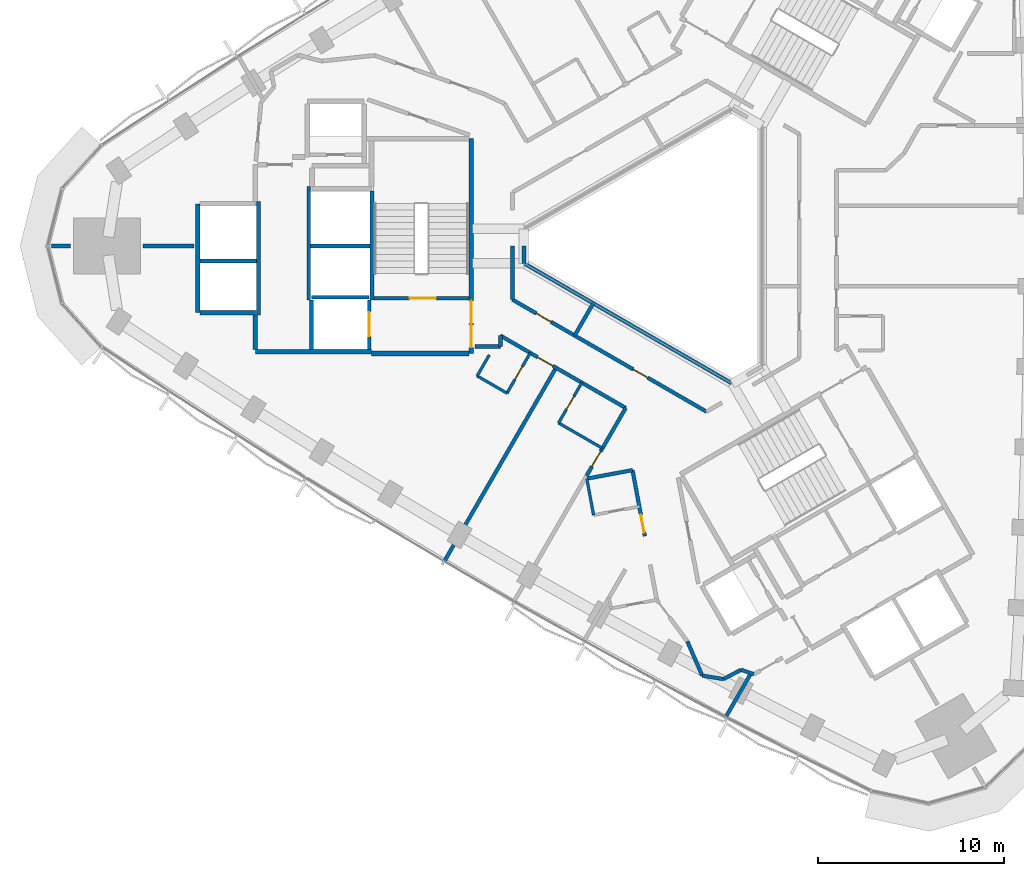
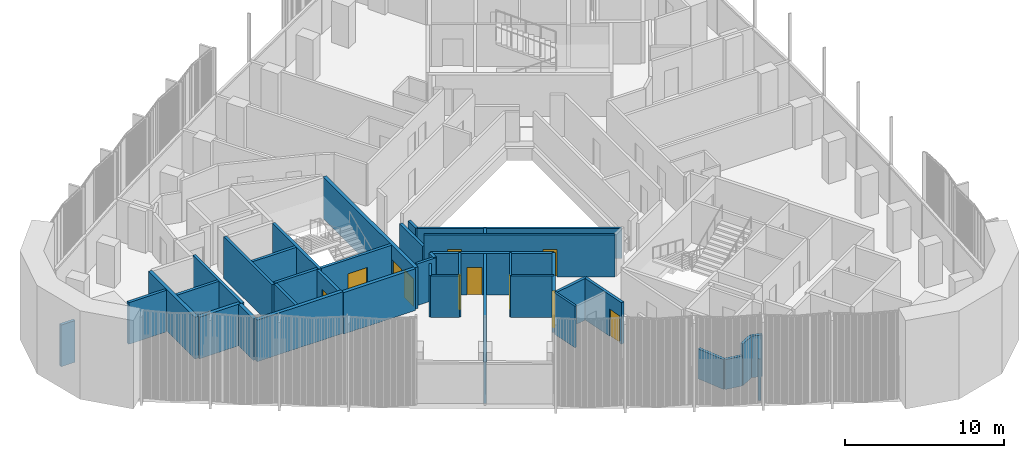
# One storey, part 8 of 15: 40 walls, 11 doors, 11 openings.
"""IFC4 building model written with IfcOpenShell, lengths in metres."""

from ifc_helpers import new_model, si_unit, direction, frame, frame_2d, origin, place, context, subcontext, project, spatial, rectangle, extrude, material, layer, layer_set, type_object, element, fill, save


model = new_model("IFC4")

# Units and contexts
model_context = context("Model", 3, precision=1e-05, world=origin(), true_north=direction((0.0, 1.0)))
body_context = subcontext(model_context, "Body", "Model", "MODEL_VIEW")
ifc_project = project(units=[si_unit("LENGTHUNIT", "METRE"), si_unit("AREAUNIT", "SQUARE_METRE"), si_unit("VOLUMEUNIT", "CUBIC_METRE"), si_unit("PLANEANGLEUNIT", "RADIAN"), si_unit("MASSUNIT", "GRAM", prefix="KILO")], contexts=[model_context])

# Site, building, storey
site_placement = place(None, origin())
site = spatial("IfcSite", under=ifc_project, at=site_placement, CompositionType="ELEMENT")
building_placement = place(site_placement, origin())
building = spatial("IfcBuilding", under=site, at=building_placement, Name="Tamra Quay Hotel Tower", CompositionType="ELEMENT")
storey_placement = place(building_placement, frame((0.0, 0.0, 128.800048828125)))
storey = spatial("IfcBuildingStorey", under=building, at=storey_placement, Name="L31", CompositionType="ELEMENT", Elevation=128.800048828125)

# Walls
ifc_material_1 = material(Name="Concrete M70", Category="concrete")
ifc_layer_1 = layer(ifc_material_1, 0.199951171875)
ifc_layer_set_1 = layer_set([ifc_layer_1], Name="Concrete M70 core wall 200")
wall_type_1 = type_object("IfcWallType", Name="Concrete M70 core wall 200", PredefinedType="SHEAR", material=ifc_layer_set_1)
wall_1_placement = place(storey_placement, frame((-16.162109375, 2.95068359375, 0.0), z_axis=(0.0, 0.0, 1.0), x_axis=(0.0, -1.0, 0.0)))
element("IfcWall", 1, at=wall_1_placement, inside=storey, type_object=wall_type_1, Name="CW2", PredefinedType="SHEAR", context=body_context, shape_type="SweptSolid", body=[
    extrude(rectangle(XDim=5.850830078125, YDim=0.199951171875, at=frame_2d((2.92529296875, 0.0))), origin(), (0.0, 0.0, 1.0), 3.199951171875),
])
for number, where, z_axis, x_axis, name in (
    (2, (-19.5625, -2.900146484375, 0.0), (0.0, 0.0, 1.0), (0.0, 1.0, 0.0), "CW2"),
    (3, (-22.26220703125, 2.400146484375, 0.0), (0.0, 0.0, 1.0), (0.0, -1.0, 0.0), "CW2"),
):
    element("IfcWall", number, at=place(storey_placement, frame(where, z_axis=z_axis, x_axis=x_axis)), inside=storey, type_object=wall_type_1, Name=name, PredefinedType="SHEAR", context=body_context, shape_type="SweptSolid", body=[
        extrude(rectangle(XDim=6.100341796875, YDim=0.199951171875, at=frame_2d((3.05029296875, 0.0))), origin(), (0.0, 0.0, 1.0), 3.199951171875),
    ])

# Wall, opening, door
wall_2_placement = place(storey_placement, frame((-10.96337890625, -2.800048828125, 0.0), z_axis=(0.0, 0.0, 1.0), x_axis=(-1.0, 0.0, 0.0)))
wall_2 = element("IfcWall", 4, at=wall_2_placement, inside=storey, type_object=wall_type_1, Name="CW2", PredefinedType="SHEAR", context=body_context, shape_type="SweptSolid", body=[
    extrude(rectangle(XDim=5.097900390625, YDim=0.199951171875, at=frame_2d((2.548828125, 0.0))), origin(), (0.0, 0.0, 1.0), 3.199951171875),
])
opening_1_placement = place(wall_2_placement, frame((1.77392578125, 0.0, 0.0)))
opening_1 = element("IfcOpeningElement", 5, at=opening_1_placement, cuts=wall_2, Name="Opening FD2", PredefinedType="OPENING", context=body_context, shape_type="SweptSolid", body=[
    extrude(rectangle(XDim=1.39990234375, YDim=2.10009765625, at=frame_2d((0.699951171875, 1.050048828125))), frame((0.0, 0.10986328125, 0.0), z_axis=(0.0, -1.0, 0.0), x_axis=(1.0, 0.0, 0.0)), (0.0, 0.0, 1.0), 0.219970703125),
])
ifc_material_2 = material(Name="Core door FD2 1400x2100 LH")
door_type_1 = type_object("IfcDoorType", Name="Core door FD2 1400x2100 LH", OperationType="NOTDEFINED", PredefinedType="DOOR", material=ifc_material_2)
door_1_placement = place(opening_1_placement, origin())
door_1 = element("IfcDoor", 6, at=door_1_placement, inside=storey, type_object=door_type_1, Name="FD2", OperationType="SINGLE_SWING_LEFT", OverallHeight=2.10009765625, OverallWidth=1.39990234375, PredefinedType="DOOR", context=body_context, shape_type="SweptSolid", body=[
    extrude(rectangle(XDim=1.39990234375, YDim=2.10009765625, at=frame_2d((0.699951171875, 1.050048828125))), frame((0.0, 0.02490234375, 0.0), z_axis=(0.0, -1.0, 0.0), x_axis=(1.0, 0.0, 0.0)), (0.0, 0.0, 1.0), 0.050048828125),
])
fill(opening_1, door_1)

# Walls
wall_3_placement = place(storey_placement, frame((-16.26318359375, 0.0, 0.0), z_axis=(0.0, 0.0, 1.0), x_axis=(-1.0, 0.0, 0.0)))
element("IfcWall", 7, at=wall_3_placement, inside=storey, type_object=wall_type_1, Name="CW2", PredefinedType="SHEAR", context=body_context, shape_type="SweptSolid", body=[
    extrude(rectangle(XDim=3.1982421875, YDim=0.199951171875, at=frame_2d((1.59912109375, 0.0))), origin(), (0.0, 0.0, 1.0), 3.199951171875),
])
wall_4_placement = place(storey_placement, frame((-22.36328125, -0.800048828125, 0.0), z_axis=(0.0, 0.0, 1.0), x_axis=(-1.0, 0.0, 0.0)))
element("IfcWall", 8, at=wall_4_placement, inside=storey, type_object=wall_type_1, Name="CW2", PredefinedType="SHEAR", context=body_context, shape_type="SweptSolid", body=[
    extrude(rectangle(XDim=3.048095703125, YDim=0.199951171875, at=frame_2d((1.52392578125, 0.0))), origin(), (0.0, 0.0, 1.0), 3.199951171875),
])
wall_5_placement = place(storey_placement, frame((-19.412353515625, -2.75, 0.0), z_axis=(0.0, 0.0, 1.0), x_axis=(1.0, 0.0, 0.0)))
element("IfcWall", 9, at=wall_5_placement, inside=storey, type_object=wall_type_1, Name="CW2", PredefinedType="SHEAR", context=body_context, shape_type="SweptSolid", body=[
    extrude(rectangle(XDim=3.10009765625, YDim=0.199951171875, at=frame_2d((1.550048828125, 0.0))), origin(), (0.0, 0.0, 1.0), 3.199951171875),
])

# Wall, opening, door
wall_6_placement = place(storey_placement, frame((-16.312255859375, -2.898193359375, 0.0), z_axis=(0.0, 0.0, 1.0), x_axis=(0.0, -1.0, 0.0)))
wall_6 = element("IfcWall", 10, at=wall_6_placement, inside=storey, type_object=wall_type_1, Name="CW2", PredefinedType="SHEAR", context=body_context, shape_type="SweptSolid", body=[
    extrude(rectangle(XDim=2.65087890625, YDim=0.199951171875, at=frame_2d((1.325439453125, 0.0))), origin(), (0.0, 0.0, 1.0), 3.199951171875),
])
opening_2_placement = place(wall_6_placement, frame((0.65185546875, 0.0, 0.0)))
opening_2 = element("IfcOpeningElement", 11, at=opening_2_placement, cuts=wall_6, Name="Opening LD", PredefinedType="OPENING", context=body_context, shape_type="SweptSolid", body=[
    extrude(rectangle(XDim=1.300048828125, YDim=2.10009765625, at=frame_2d((0.64990234375, 1.050048828125))), frame((0.0, 0.10986328125, 0.0), z_axis=(0.0, -1.0, 0.0), x_axis=(1.0, 0.0, 0.0)), (0.0, 0.0, 1.0), 0.219970703125),
])
ifc_material_3 = material(Name="Landing door LD 1300 sliding to left")
door_type_2 = type_object("IfcDoorType", Name="Landing door LD 1300 sliding to left", OperationType="NOTDEFINED", PredefinedType="DOOR", material=ifc_material_3)
door_2_placement = place(opening_2_placement, origin())
door_2 = element("IfcDoor", 12, at=door_2_placement, inside=storey, type_object=door_type_2, Name="LD", OperationType="SLIDING_TO_LEFT", OverallHeight=2.10009765625, OverallWidth=1.300048828125, PredefinedType="DOOR", context=body_context, shape_type="SweptSolid", body=[
    extrude(rectangle(XDim=1.300048828125, YDim=2.10009765625, at=frame_2d((0.64990234375, 1.050048828125))), frame((0.0, 0.02490234375, 0.0), z_axis=(0.0, -1.0, 0.0), x_axis=(1.0, 0.0, 0.0)), (0.0, 0.0, 1.0), 0.050048828125),
])
fill(opening_2, door_2)

# Wall
wall_7_placement = place(storey_placement, frame((-19.412353515625, -5.549072265625, 0.0), z_axis=(0.0, 0.0, 1.0), x_axis=(0.0, 1.0, 0.0)))
element("IfcWall", 13, at=wall_7_placement, inside=storey, type_object=wall_type_1, Name="CW2", PredefinedType="SHEAR", context=body_context, shape_type="SweptSolid", body=[
    extrude(rectangle(XDim=2.65087890625, YDim=0.199951171875, at=frame_2d((1.325439453125, 0.0))), origin(), (0.0, 0.0, 1.0), 3.199951171875),
])

# Wall, openings, doors
ifc_layer_2 = layer(ifc_material_1, 0.25)
ifc_layer_set_2 = layer_set([ifc_layer_2], Name="Concrete M70 core wall 250")
wall_type_2 = type_object("IfcWallType", Name="Concrete M70 core wall 250", PredefinedType="SHEAR", material=ifc_layer_set_2)
wall_8_placement = place(storey_placement, frame((-10.83740234375, 5.77490234375, 0.0), z_axis=(0.0, 0.0, 1.0), x_axis=(0.0, -1.0, 0.0)))
wall_8 = element("IfcWall", 14, at=wall_8_placement, inside=storey, type_object=wall_type_2, Name="CW1", PredefinedType="SHEAR", context=body_context, shape_type="SweptSolid", body=[
    extrude(rectangle(XDim=11.5498046875, YDim=0.25, at=frame_2d((5.77490234375, 0.0))), origin(), (0.0, 0.0, 1.0), 3.199951171875),
])
opening_3_placement = place(wall_8_placement, frame((10.02490234375, 0.0, 0.0)))
opening_3 = element("IfcOpeningElement", 15, at=opening_3_placement, cuts=wall_8, Name="Opening FD1", PredefinedType="OPENING", context=body_context, shape_type="SweptSolid", body=[
    extrude(rectangle(XDim=1.199951171875, YDim=2.10009765625, at=frame_2d((0.60009765625, 1.050048828125))), frame((0.0, 0.135009765625, 0.0), z_axis=(0.0, -1.0, 0.0), x_axis=(1.0, 0.0, 0.0)), (0.0, 0.0, 1.0), 0.27001953125),
])
opening_4_placement = place(wall_8_placement, frame((8.72509765625, 0.0, 0.0)))
opening_4 = element("IfcOpeningElement", 16, at=opening_4_placement, cuts=wall_8, Name="Opening FD1", PredefinedType="OPENING", context=body_context, shape_type="SweptSolid", body=[
    extrude(rectangle(XDim=1.199951171875, YDim=2.10009765625, at=frame_2d((0.60009765625, 1.050048828125))), frame((0.0, 0.135009765625, 0.0), z_axis=(0.0, -1.0, 0.0), x_axis=(1.0, 0.0, 0.0)), (0.0, 0.0, 1.0), 0.27001953125),
])
ifc_material_4 = material(Name="Core door FD1 1200x2100 LH")
door_type_3 = type_object("IfcDoorType", Name="Core door FD1 1200x2100 LH", OperationType="NOTDEFINED", PredefinedType="DOOR", material=ifc_material_4)
door_3_placement = place(opening_3_placement, origin())
door_3 = element("IfcDoor", 17, at=door_3_placement, inside=storey, type_object=door_type_3, Name="FD1", OperationType="SINGLE_SWING_LEFT", OverallHeight=2.10009765625, OverallWidth=1.199951171875, PredefinedType="DOOR", context=body_context, shape_type="SweptSolid", body=[
    extrude(rectangle(XDim=1.199951171875, YDim=2.10009765625, at=frame_2d((0.60009765625, 1.050048828125))), frame((0.0, 0.02490234375, 0.0), z_axis=(0.0, -1.0, 0.0), x_axis=(1.0, 0.0, 0.0)), (0.0, 0.0, 1.0), 0.050048828125),
])
fill(opening_3, door_3)
ifc_material_5 = material(Name="Core door FD1 1200x2100 RH")
door_type_4 = type_object("IfcDoorType", Name="Core door FD1 1200x2100 RH", OperationType="NOTDEFINED", PredefinedType="DOOR", material=ifc_material_5)
door_4_placement = place(opening_4_placement, origin())
door_4 = element("IfcDoor", 18, at=door_4_placement, inside=storey, type_object=door_type_4, Name="FD1", OperationType="SINGLE_SWING_RIGHT", OverallHeight=2.10009765625, OverallWidth=1.199951171875, PredefinedType="DOOR", context=body_context, shape_type="SweptSolid", body=[
    extrude(rectangle(XDim=1.199951171875, YDim=2.10009765625, at=frame_2d((0.60009765625, 1.050048828125))), frame((0.0, 0.02490234375, 0.0), z_axis=(0.0, -1.0, 0.0), x_axis=(1.0, 0.0, 0.0)), (0.0, 0.0, 1.0), 0.050048828125),
])
fill(opening_4, door_4)

# Walls
wall_9_placement = place(storey_placement, frame((-16.187255859375, -5.675048828125, 0.0), z_axis=(0.0, 0.0, 1.0), x_axis=(-1.0, 0.0, 0.0)))
element("IfcWall", 19, at=wall_9_placement, inside=storey, type_object=wall_type_2, Name="CW1", PredefinedType="SHEAR", context=body_context, shape_type="SweptSolid", body=[
    extrude(rectangle(XDim=6.25, YDim=0.25, at=frame_2d((3.125, 0.0))), origin(), (0.0, 0.0, 1.0), 3.199951171875),
])
wall_10_placement = place(storey_placement, frame((-25.537353515625, -3.574951171875, 0.0), z_axis=(0.0, 0.0, 1.0), x_axis=(0.0, 1.0, 0.0)))
element("IfcWall", 20, at=wall_10_placement, inside=storey, type_object=wall_type_2, Name="CW1", PredefinedType="SHEAR", context=body_context, shape_type="SweptSolid", body=[
    extrude(rectangle(XDim=5.849853515625, YDim=0.25, at=frame_2d((2.9248046875, 0.0))), origin(), (0.0, 0.0, 1.0), 3.199951171875),
])
wall_11_placement = place(storey_placement, frame((-10.962646484375, -5.77490234375, 0.0), z_axis=(0.0, 0.0, 1.0), x_axis=(-1.0, 0.0, 0.0)))
element("IfcWall", 21, at=wall_11_placement, inside=storey, type_object=wall_type_2, Name="CW1", PredefinedType="SHEAR", context=body_context, shape_type="SweptSolid", body=[
    extrude(rectangle(XDim=5.224609375, YDim=0.25, at=frame_2d((2.6123046875, 0.0))), origin(), (0.0, 0.0, 1.0), 3.199951171875),
])
wall_12_placement = place(storey_placement, frame((-22.437255859375, -3.574951171875, 0.0), z_axis=(0.0, 0.0, 1.0), x_axis=(-1.0, 0.0, 0.0)))
element("IfcWall", 22, at=wall_12_placement, inside=storey, type_object=wall_type_2, Name="CW1", PredefinedType="SHEAR", context=body_context, shape_type="SweptSolid", body=[
    extrude(rectangle(XDim=2.974609375, YDim=0.25, at=frame_2d((1.4873046875, 0.0))), origin(), (0.0, 0.0, 1.0), 3.199951171875),
])
wall_13_placement = place(storey_placement, frame((-22.437255859375, -5.549560546875, 0.0), z_axis=(0.0, 0.0, 1.0), x_axis=(0.0, 1.0, 0.0)))
element("IfcWall", 23, at=wall_13_placement, inside=storey, type_object=wall_type_2, Name="CW1", PredefinedType="SHEAR", context=body_context, shape_type="SweptSolid", body=[
    extrude(rectangle(XDim=1.84912109375, YDim=0.25, at=frame_2d((0.924560546875, 0.0))), origin(), (0.0, 0.0, 1.0), 3.199951171875),
])
ifc_material_6 = material(Name="Partition corridor wall")
ifc_layer_3 = layer(ifc_material_6, 0.199951171875)
ifc_layer_set_3 = layer_set([ifc_layer_3], Name="Partition corridor wall")
wall_type_3 = type_object("IfcWallType", Name="Partition corridor wall", PredefinedType="PARTITIONING", material=ifc_layer_set_3)
wall_14_placement = place(storey_placement, frame((-10.616943359375, -5.39990234375, 0.0), z_axis=(0.0, 0.0, 1.0), x_axis=(1.0, 0.0, 0.0)))
element("IfcWall", 24, at=wall_14_placement, inside=storey, type_object=wall_type_3, Name="W-C", PredefinedType="PARTITIONING", context=body_context, shape_type="SweptSolid", body=[
    extrude(rectangle(XDim=1.35498046875, YDim=0.199951171875, at=frame_2d((0.677490234375, 0.0))), origin(), (0.0, 0.0, 1.0), 3.199951171875),
])

# Wall, opening, door
wall_15_placement = place(storey_placement, frame((-9.26220703125, -4.814453125, 0.0), z_axis=(0.0, 0.0, 1.0), x_axis=(0.866109782156, -0.499853823887, 0.0)))
wall_15 = element("IfcWall", 25, at=wall_15_placement, inside=storey, type_object=wall_type_3, Name="W-C", PredefinedType="PARTITIONING", context=body_context, shape_type="SweptSolid", body=[
    extrude(rectangle(XDim=7.775634765625, YDim=0.199951171875, at=frame_2d((3.8876953125, 0.0))), origin(), (0.0, 0.0, 1.0), 3.199951171875),
])
opening_5_placement = place(wall_15_placement, frame((2.314208984375, 0.0, 0.0)))
opening_5 = element("IfcOpeningElement", 26, at=opening_5_placement, cuts=wall_15, Name="Opening L31-D014", PredefinedType="OPENING", context=body_context, shape_type="SweptSolid", body=[
    extrude(rectangle(XDim=0.949951171875, YDim=2.10009765625, at=frame_2d((0.47509765625, 1.050048828125))), frame((0.0, 0.10986328125, 0.0), z_axis=(0.0, -1.0, 0.0), x_axis=(1.0, 0.0, 0.0)), (0.0, 0.0, 1.0), 0.219970703125),
])
ifc_material_7 = material(Name="Door guest room 950x2100")
door_type_5 = type_object("IfcDoorType", Name="Door guest room 950x2100", OperationType="NOTDEFINED", PredefinedType="DOOR", material=ifc_material_7)
door_5_placement = place(opening_5_placement, frame((0.949951171875, 0.0, 0.0), z_axis=(0.0, 0.0, 1.0), x_axis=(-1.0, 0.0, 0.0)))
door_5 = element("IfcDoor", 27, at=door_5_placement, inside=storey, type_object=door_type_5, Name="L31-D014", OperationType="SINGLE_SWING_LEFT", OverallHeight=2.10009765625, OverallWidth=0.949951171875, PredefinedType="DOOR", context=body_context, shape_type="SweptSolid", body=[
    extrude(rectangle(XDim=0.949951171875, YDim=2.10009765625, at=frame_2d((0.47509765625, 1.050048828125))), frame((0.0, 0.02490234375, 0.0), z_axis=(0.0, -1.0, 0.0), x_axis=(1.0, 0.0, 0.0)), (0.0, 0.0, 1.0), 0.050048828125),
])
fill(opening_5, door_5)

# Walls
wall_16_placement = place(storey_placement, frame((-9.261962890625, -5.39990234375, 0.0), z_axis=(0.0, 0.0, 1.0), x_axis=(0.0, 1.0, 0.0)))
element("IfcWall", 28, at=wall_16_placement, inside=storey, type_object=wall_type_3, Name="W-C", PredefinedType="PARTITIONING", context=body_context, shape_type="SweptSolid", body=[
    extrude(rectangle(XDim=0.5859375, YDim=0.199951171875, at=frame_2d((0.29296875, 0.0))), origin(), (0.0, 0.0, 1.0), 3.199951171875),
])
wall_17_placement = place(storey_placement, frame((-8.612060546875, -2.8798828125, 0.0), z_axis=(0.0, 0.0, 1.0), x_axis=(0.0, 1.0, 0.0)))
element("IfcWall", 29, at=wall_17_placement, inside=storey, type_object=wall_type_3, Name="W-C", PredefinedType="PARTITIONING", context=body_context, shape_type="SweptSolid", body=[
    extrude(rectangle(XDim=2.890869140625, YDim=0.199951171875, at=frame_2d((1.4453125, 0.0))), origin(), (0.0, 0.0, 1.0), 2.300048828125),
])

# Wall, openings, doors
wall_18_placement = place(storey_placement, frame((-8.612060546875, -2.8798828125, 0.0), z_axis=(0.0, 0.0, 1.0), x_axis=(0.866035279512, -0.499982894348, 0.0)))
wall_18 = element("IfcWall", 30, at=wall_18_placement, inside=storey, type_object=wall_type_3, Name="W-C", PredefinedType="PARTITIONING", context=body_context, shape_type="SweptSolid", body=[
    extrude(rectangle(XDim=12.03662109375, YDim=0.199951171875, at=frame_2d((6.018310546875, 0.0))), origin(), (0.0, 0.0, 1.0), 3.199951171875),
])
opening_6_placement = place(wall_18_placement, frame((1.484130859375, 0.0, 0.0)))
opening_6 = element("IfcOpeningElement", 31, at=opening_6_placement, cuts=wall_18, Name="Opening L31-D028", PredefinedType="OPENING", context=body_context, shape_type="SweptSolid", body=[
    extrude(rectangle(XDim=0.89990234375, YDim=2.10009765625, at=frame_2d((0.449951171875, 1.050048828125))), frame((0.0, 0.10986328125, 0.0), z_axis=(0.0, -1.0, 0.0), x_axis=(1.0, 0.0, 0.0)), (0.0, 0.0, 1.0), 0.219970703125),
])
opening_7_placement = place(wall_18_placement, frame((7.49072265625, 0.0, 0.0)))
opening_7 = element("IfcOpeningElement", 32, at=opening_7_placement, cuts=wall_18, Name="Opening L31-D029", PredefinedType="OPENING", context=body_context, shape_type="SweptSolid", body=[
    extrude(rectangle(XDim=0.89990234375, YDim=2.10009765625, at=frame_2d((0.449951171875, 1.050048828125))), frame((0.0, 0.10986328125, 0.0), z_axis=(0.0, -1.0, 0.0), x_axis=(1.0, 0.0, 0.0)), (0.0, 0.0, 1.0), 0.219970703125),
])
ifc_material_8 = material(Name="Door service room 900x2100")
door_type_6 = type_object("IfcDoorType", Name="Door service room 900x2100", OperationType="NOTDEFINED", PredefinedType="DOOR", material=ifc_material_8)
door_6_placement = place(opening_6_placement, origin())
door_6 = element("IfcDoor", 33, at=door_6_placement, inside=storey, type_object=door_type_6, Name="L31-D028", OperationType="SINGLE_SWING_LEFT", OverallHeight=2.10009765625, OverallWidth=0.89990234375, PredefinedType="DOOR", context=body_context, shape_type="SweptSolid", body=[
    extrude(rectangle(XDim=0.89990234375, YDim=2.10009765625, at=frame_2d((0.449951171875, 1.050048828125))), frame((0.0, 0.02490234375, 0.0), z_axis=(0.0, -1.0, 0.0), x_axis=(1.0, 0.0, 0.0)), (0.0, 0.0, 1.0), 0.050048828125),
])
fill(opening_6, door_6)
door_7_placement = place(opening_7_placement, origin())
door_7 = element("IfcDoor", 34, at=door_7_placement, inside=storey, type_object=door_type_6, Name="L31-D029", OperationType="SINGLE_SWING_LEFT", OverallHeight=2.10009765625, OverallWidth=0.89990234375, PredefinedType="DOOR", context=body_context, shape_type="SweptSolid", body=[
    extrude(rectangle(XDim=0.89990234375, YDim=2.10009765625, at=frame_2d((0.449951171875, 1.050048828125))), frame((0.0, 0.02490234375, 0.0), z_axis=(0.0, -1.0, 0.0), x_axis=(1.0, 0.0, 0.0)), (0.0, 0.0, 1.0), 0.050048828125),
])
fill(opening_7, door_7)

# Wall, opening, door
wall_19_placement = place(storey_placement, frame((-4.62890625, -12.341064453125, 0.0), z_axis=(0.0, 0.0, 1.0), x_axis=(0.500069467685, 0.865985292883, 0.0)))
wall_19 = element("IfcWall", 35, at=wall_19_placement, inside=storey, type_object=wall_type_3, Name="W-C", PredefinedType="PARTITIONING", context=body_context, shape_type="SweptSolid", body=[
    extrude(rectangle(XDim=4.2021484375, YDim=0.199951171875, at=frame_2d((2.10107421875, 0.0))), origin(), (0.0, 0.0, 1.0), 3.199951171875),
])
opening_8_placement = place(wall_19_placement, frame((0.563720703125, 0.0, 0.0)))
opening_8 = element("IfcOpeningElement", 36, at=opening_8_placement, cuts=wall_19, Name="Opening L31-D016", PredefinedType="OPENING", context=body_context, shape_type="SweptSolid", body=[
    extrude(rectangle(XDim=0.949951171875, YDim=2.10009765625, at=frame_2d((0.47509765625, 1.050048828125))), frame((0.0, 0.10986328125, 0.0), z_axis=(0.0, -1.0, 0.0), x_axis=(1.0, 0.0, 0.0)), (0.0, 0.0, 1.0), 0.219970703125),
])
door_8_placement = place(opening_8_placement, origin())
door_8 = element("IfcDoor", 37, at=door_8_placement, inside=storey, type_object=door_type_5, Name="L31-D016", OperationType="SINGLE_SWING_LEFT", OverallHeight=2.10009765625, OverallWidth=0.949951171875, PredefinedType="DOOR", context=body_context, shape_type="SweptSolid", body=[
    extrude(rectangle(XDim=0.949951171875, YDim=2.10009765625, at=frame_2d((0.47509765625, 1.050048828125))), frame((0.0, 0.02490234375, 0.0), z_axis=(0.0, -1.0, 0.0), x_axis=(1.0, 0.0, 0.0)), (0.0, 0.0, 1.0), 0.050048828125),
])
fill(opening_8, door_8)

# Wall
wall_20_placement = place(storey_placement, frame((-4.60009765625, -12.498046875, 0.0), z_axis=(0.0, 0.0, 1.0), x_axis=(0.982950102255, 0.183872500602, 0.0)))
element("IfcWall", 38, at=wall_20_placement, inside=storey, type_object=wall_type_3, Name="W-C", PredefinedType="PARTITIONING", context=body_context, shape_type="SweptSolid", body=[
    extrude(rectangle(XDim=2.480224609375, YDim=0.199951171875, at=frame_2d((1.240234375, 0.0))), origin(), (0.0, 0.0, 1.0), 3.199951171875),
])

# Wall, opening, door
wall_21_placement = place(storey_placement, frame((-2.16259765625, -12.0419921875, 0.0), z_axis=(0.0, 0.0, 1.0), x_axis=(0.183945287989, -0.982936483719, 0.0)))
wall_21 = element("IfcWall", 39, at=wall_21_placement, inside=storey, type_object=wall_type_3, Name="W-C", PredefinedType="PARTITIONING", context=body_context, shape_type="SweptSolid", body=[
    extrude(rectangle(XDim=3.607421875, YDim=0.199951171875, at=frame_2d((1.8037109375, 0.0))), origin(), (0.0, 0.0, 1.0), 3.199951171875),
])
opening_9_placement = place(wall_21_placement, frame((2.45751953125, 0.0, 0.0)))
opening_9 = element("IfcOpeningElement", 40, at=opening_9_placement, cuts=wall_21, Name="Opening L31-D018", PredefinedType="OPENING", context=body_context, shape_type="SweptSolid", body=[
    extrude(rectangle(XDim=0.949951171875, YDim=2.10009765625, at=frame_2d((0.47509765625, 1.050048828125))), frame((0.0, 0.10986328125, 0.0), z_axis=(0.0, -1.0, 0.0), x_axis=(1.0, 0.0, 0.0)), (0.0, 0.0, 1.0), 0.219970703125),
])
door_9_placement = place(opening_9_placement, frame((0.949951171875, 0.0, 0.0), z_axis=(0.0, 0.0, 1.0), x_axis=(-1.0, 0.0, 0.0)))
door_9 = element("IfcDoor", 41, at=door_9_placement, inside=storey, type_object=door_type_5, Name="L31-D018", OperationType="SINGLE_SWING_LEFT", OverallHeight=2.10009765625, OverallWidth=0.949951171875, PredefinedType="DOOR", context=body_context, shape_type="SweptSolid", body=[
    extrude(rectangle(XDim=0.949951171875, YDim=2.10009765625, at=frame_2d((0.47509765625, 1.050048828125))), frame((0.0, 0.02490234375, 0.0), z_axis=(0.0, -1.0, 0.0), x_axis=(1.0, 0.0, 0.0)), (0.0, 0.0, 1.0), 0.050048828125),
])
fill(opening_9, door_9)

# Walls
wall_22_placement = place(storey_placement, frame((0.784912109375, -21.24609375, 0.0), z_axis=(0.0, 0.0, 1.0), x_axis=(0.398365586627, -0.917226721913, 0.0)))
element("IfcWall", 42, at=wall_22_placement, inside=storey, type_object=wall_type_3, Name="W-C", PredefinedType="PARTITIONING", context=body_context, shape_type="SweptSolid", body=[
    extrude(rectangle(XDim=2.005859375, YDim=0.199951171875, at=frame_2d((1.0029296875, 0.0))), origin(), (0.0, 0.0, 1.0), 2.300048828125),
])
wall_23_placement = place(storey_placement, frame((1.583984375, -23.0859375, 0.0), z_axis=(0.0, 0.0, 1.0), x_axis=(0.986654221629, -0.162829502674, 0.0)))
element("IfcWall", 43, at=wall_23_placement, inside=storey, type_object=wall_type_3, Name="W-C", PredefinedType="PARTITIONING", context=body_context, shape_type="SweptSolid", body=[
    extrude(rectangle(XDim=1.160400390625, YDim=0.199951171875, at=frame_2d((0.580078125, 0.0))), origin(), (0.0, 0.0, 1.0), 2.300048828125),
])
wall_24_placement = place(storey_placement, frame((2.72998046875, -23.27490234375, 0.0), z_axis=(0.0, 0.0, 1.0), x_axis=(0.880927165636, 0.473251866182, 0.0)))
element("IfcWall", 44, at=wall_24_placement, inside=storey, type_object=wall_type_3, Name="W-C", PredefinedType="PARTITIONING", context=body_context, shape_type="SweptSolid", body=[
    extrude(rectangle(XDim=1.064697265625, YDim=0.199951171875, at=frame_2d((0.5322265625, 0.0))), origin(), (0.0, 0.0, 1.0), 3.199951171875),
])
wall_25_placement = place(storey_placement, frame((3.66796875, -22.77099609375, 0.0), z_axis=(0.0, 0.0, 1.0), x_axis=(0.944447470761, -0.328662402738, 0.0)))
element("IfcWall", 45, at=wall_25_placement, inside=storey, type_object=wall_type_3, Name="W-C", PredefinedType="PARTITIONING", context=body_context, shape_type="SweptSolid", body=[
    extrude(rectangle(XDim=0.734619140625, YDim=0.199951171875, at=frame_2d((0.3671875, 0.0))), origin(), (0.0, 0.0, 1.0), 3.199951171875),
])
ifc_material_9 = material(Name="Partition en-suite wall")
ifc_layer_4 = layer(ifc_material_9, 0.14990234375)
ifc_layer_set_4 = layer_set([ifc_layer_4], Name="Partition en-suite wall")
wall_type_4 = type_object("IfcWallType", Name="Partition en-suite wall", PredefinedType="PARTITIONING", material=ifc_layer_set_4)
wall_26_placement = place(storey_placement, frame((-10.510986328125, -6.97705078125, 0.0), z_axis=(0.0, 0.0, 1.0), x_axis=(0.500274472704, 0.865866878891, 0.0)))
element("IfcWall", 46, at=wall_26_placement, inside=storey, type_object=wall_type_4, Name="W-E", PredefinedType="PARTITIONING", context=body_context, shape_type="SweptSolid", body=[
    extrude(rectangle(XDim=1.301513671875, YDim=0.14990234375, at=frame_2d((0.65087890625, 0.0))), origin(), (0.0, 0.0, 1.0), 3.199951171875),
])
wall_27_placement = place(storey_placement, frame((-10.510009765625, -6.97998046875, 0.0), z_axis=(0.0, 0.0, 1.0), x_axis=(0.865965533559, -0.500103683937, 0.0)))
element("IfcWall", 47, at=wall_27_placement, inside=storey, type_object=wall_type_4, Name="W-E", PredefinedType="PARTITIONING", context=body_context, shape_type="SweptSolid", body=[
    extrude(rectangle(XDim=1.84765625, YDim=0.14990234375, at=frame_2d((0.923828125, 0.0))), origin(), (0.0, 0.0, 1.0), 3.199951171875),
])

# Wall, opening, door
wall_28_placement = place(storey_placement, frame((-8.906982421875, -7.903076171875, 0.0), z_axis=(0.0, 0.0, 1.0), x_axis=(0.499925626596, 0.866068339032, 0.0)))
wall_28 = element("IfcWall", 48, at=wall_28_placement, inside=storey, type_object=wall_type_4, Name="W-E", PredefinedType="PARTITIONING", context=body_context, shape_type="SweptSolid", body=[
    extrude(rectangle(XDim=2.49658203125, YDim=0.14990234375, at=frame_2d((1.248291015625, 0.0))), origin(), (0.0, 0.0, 1.0), 3.199951171875),
])
opening_10_placement = place(wall_28_placement, frame((0.847900390625, 0.0, 0.0)))
opening_10 = element("IfcOpeningElement", 49, at=opening_10_placement, cuts=wall_28, Name="Opening L31-D015", PredefinedType="OPENING", context=body_context, shape_type="SweptSolid", body=[
    extrude(rectangle(XDim=0.800048828125, YDim=2.10009765625, at=frame_2d((0.39990234375, 1.050048828125))), frame((0.0, 0.0849609375, 0.0), z_axis=(0.0, -1.0, 0.0), x_axis=(1.0, 0.0, 0.0)), (0.0, 0.0, 1.0), 0.169921875),
])
ifc_material_10 = material(Name="Door en-suite 800x2100")
door_type_7 = type_object("IfcDoorType", Name="Door en-suite 800x2100", OperationType="NOTDEFINED", PredefinedType="DOOR", material=ifc_material_10)
door_10_placement = place(opening_10_placement, origin())
door_10 = element("IfcDoor", 50, at=door_10_placement, inside=storey, type_object=door_type_7, Name="L31-D015", OperationType="SINGLE_SWING_LEFT", OverallHeight=2.10009765625, OverallWidth=0.800048828125, PredefinedType="DOOR", context=body_context, shape_type="SweptSolid", body=[
    extrude(rectangle(XDim=0.800048828125, YDim=2.10009765625, at=frame_2d((0.39990234375, 1.050048828125))), frame((0.0, 0.02490234375, 0.0), z_axis=(0.0, -1.0, 0.0), x_axis=(1.0, 0.0, 0.0)), (0.0, 0.0, 1.0), 0.050048828125),
])
fill(opening_10, door_10)

# Wall
wall_29_placement = place(storey_placement, frame((-6.13720703125, -9.50537109375, 0.0), z_axis=(0.0, 0.0, 1.0), x_axis=(0.866000497904, -0.50004313577, 0.0)))
element("IfcWall", 51, at=wall_29_placement, inside=storey, type_object=wall_type_4, Name="W-E", PredefinedType="PARTITIONING", context=body_context, shape_type="SweptSolid", body=[
    extrude(rectangle(XDim=2.723876953125, YDim=0.14990234375, at=frame_2d((1.36181640625, 0.0))), origin(), (0.0, 0.0, 1.0), 3.199951171875),
])

# Wall, opening, door
wall_30_placement = place(storey_placement, frame((-6.136962890625, -9.5048828125, 0.0), z_axis=(0.0, 0.0, 1.0), x_axis=(0.500339416332, 0.86582935297, 0.0)))
wall_30 = element("IfcWall", 52, at=wall_30_placement, inside=storey, type_object=wall_type_4, Name="W-E", PredefinedType="PARTITIONING", context=body_context, shape_type="SweptSolid", body=[
    extrude(rectangle(XDim=2.500244140625, YDim=0.14990234375, at=frame_2d((1.25, 0.0))), origin(), (0.0, 0.0, 1.0), 3.199951171875),
])
opening_11_placement = place(wall_30_placement, frame((0.85009765625, 0.0, 0.0)))
opening_11 = element("IfcOpeningElement", 53, at=opening_11_placement, cuts=wall_30, Name="Opening L31-D017", PredefinedType="OPENING", context=body_context, shape_type="SweptSolid", body=[
    extrude(rectangle(XDim=0.800048828125, YDim=2.10009765625, at=frame_2d((0.39990234375, 1.050048828125))), frame((0.0, 0.0849609375, 0.0), z_axis=(0.0, -1.0, 0.0), x_axis=(1.0, 0.0, 0.0)), (0.0, 0.0, 1.0), 0.169921875),
])
door_11_placement = place(opening_11_placement, frame((0.800048828125, 0.0, 0.0), z_axis=(0.0, 0.0, 1.0), x_axis=(-1.0, 0.0, 0.0)))
door_11 = element("IfcDoor", 54, at=door_11_placement, inside=storey, type_object=door_type_7, Name="L31-D017", OperationType="SINGLE_SWING_LEFT", OverallHeight=2.10009765625, OverallWidth=0.800048828125, PredefinedType="DOOR", context=body_context, shape_type="SweptSolid", body=[
    extrude(rectangle(XDim=0.800048828125, YDim=2.10009765625, at=frame_2d((0.39990234375, 1.050048828125))), frame((0.0, 0.02490234375, 0.0), z_axis=(0.0, -1.0, 0.0), x_axis=(1.0, 0.0, 0.0)), (0.0, 0.0, 1.0), 0.050048828125),
])
fill(opening_11, door_11)

# Walls
wall_31_placement = place(storey_placement, frame((-4.618896484375, -12.501953125, 0.0), z_axis=(0.0, 0.0, 1.0), x_axis=(0.183517674038, -0.983016410502, 0.0)))
element("IfcWall", 55, at=wall_31_placement, inside=storey, type_object=wall_type_4, Name="W-E", PredefinedType="PARTITIONING", context=body_context, shape_type="SweptSolid", body=[
    extrude(rectangle(XDim=1.98876953125, YDim=0.14990234375, at=frame_2d((0.994384765625, 0.0))), origin(), (0.0, 0.0, 1.0), 3.199951171875),
])
ifc_material_11 = material(Name="Partition party wall")
ifc_layer_5 = layer(ifc_material_11, 0.199951171875)
ifc_layer_set_5 = layer_set([ifc_layer_5], Name="Partition party wall")
wall_type_5 = type_object("IfcWallType", Name="Partition party wall", PredefinedType="PARTITIONING", material=ifc_layer_set_5)
wall_32_placement = place(storey_placement, frame((-33.382080078125, 0.0, 0.0), z_axis=(0.0, 0.0, 1.0), x_axis=(1.0, 0.0, 0.0)))
element("IfcWall", 56, at=wall_32_placement, inside=storey, type_object=wall_type_5, Name="W-P", PredefinedType="PARTITIONING", context=body_context, shape_type="SweptSolid", body=[
    extrude(rectangle(XDim=1.01806640625, YDim=0.199951171875, at=frame_2d((0.509033203125, 0.0))), origin(), (0.0, 0.0, 1.0), 3.199951171875),
])
wall_33_placement = place(storey_placement, frame((-28.464111328125, 0.0, 0.0), z_axis=(0.0, 0.0, 1.0), x_axis=(1.0, 0.0, 0.0)))
element("IfcWall", 57, at=wall_33_placement, inside=storey, type_object=wall_type_5, Name="W-P", PredefinedType="PARTITIONING", context=body_context, shape_type="SweptSolid", body=[
    extrude(rectangle(XDim=2.741943359375, YDim=0.199951171875, at=frame_2d((1.37109375, 0.0))), origin(), (0.0, 0.0, 1.0), 3.199951171875),
])
wall_34_placement = place(storey_placement, frame((-12.278076171875, -16.946044921875, 0.0), z_axis=(0.0, 0.0, 1.0), x_axis=(0.499887212932, 0.866090511637, 0.0)))
element("IfcWall", 58, at=wall_34_placement, inside=storey, type_object=wall_type_5, Name="W-P", PredefinedType="PARTITIONING", context=body_context, shape_type="SweptSolid", body=[
    extrude(rectangle(XDim=12.014892578125, YDim=0.199951171875, at=frame_2d((6.00732421875, 0.0))), origin(), (0.0, 0.0, 1.0), 3.199951171875),
])
wall_35_placement = place(storey_placement, frame((-8.0, -0.924072265625, 0.0), z_axis=(0.0, 0.0, 1.0), x_axis=(0.0, 1.0, 0.0)))
element("IfcWall", 59, at=wall_35_placement, inside=storey, type_object=wall_type_5, Name="W-P", PredefinedType="PARTITIONING", context=body_context, shape_type="SweptSolid", body=[
    extrude(rectangle(XDim=0.93603515625, YDim=0.199951171875, at=frame_2d((0.468017578125, 0.0))), origin(), (0.0, 0.0, 1.0), 2.300048828125),
])
wall_36_placement = place(storey_placement, frame((-8.0, -0.924072265625, 0.0), z_axis=(0.0, 0.0, 1.0), x_axis=(0.86604129137, -0.499972480886, 0.0)))
element("IfcWall", 60, at=wall_36_placement, inside=storey, type_object=wall_type_5, Name="W-P", PredefinedType="PARTITIONING", context=body_context, shape_type="SweptSolid", body=[
    extrude(rectangle(XDim=12.932373046875, YDim=0.199951171875, at=frame_2d((6.46630859375, 0.0))), origin(), (0.0, 0.0, 1.0), 2.300048828125),
])
wall_37_placement = place(storey_placement, frame((-5.272216796875, -4.807861328125, 0.0), z_axis=(0.0, 0.0, 1.0), x_axis=(0.499880961361, 0.866094119867, 0.0)))
element("IfcWall", 61, at=wall_37_placement, inside=storey, type_object=wall_type_5, Name="W-P", PredefinedType="PARTITIONING", context=body_context, shape_type="SweptSolid", body=[
    extrude(rectangle(XDim=2.0, YDim=0.199951171875, at=frame_2d((1.0, 0.0))), origin(), (0.0, 0.0, 1.0), 2.300048828125),
])
wall_38_placement = place(storey_placement, frame((2.845458984375, -25.321044921875, 0.0), z_axis=(0.0, 0.0, 1.0), x_axis=(0.499942002849, 0.866058885866, 0.0)))
element("IfcWall", 62, at=wall_38_placement, inside=storey, type_object=wall_type_5, Name="W-P", PredefinedType="PARTITIONING", context=body_context, shape_type="SweptSolid", body=[
    extrude(rectangle(XDim=2.727294921875, YDim=0.199951171875, at=frame_2d((1.36376953125, 0.0))), origin(), (0.0, 0.0, 1.0), 3.199951171875),
])

save(model, "model.ifc")
